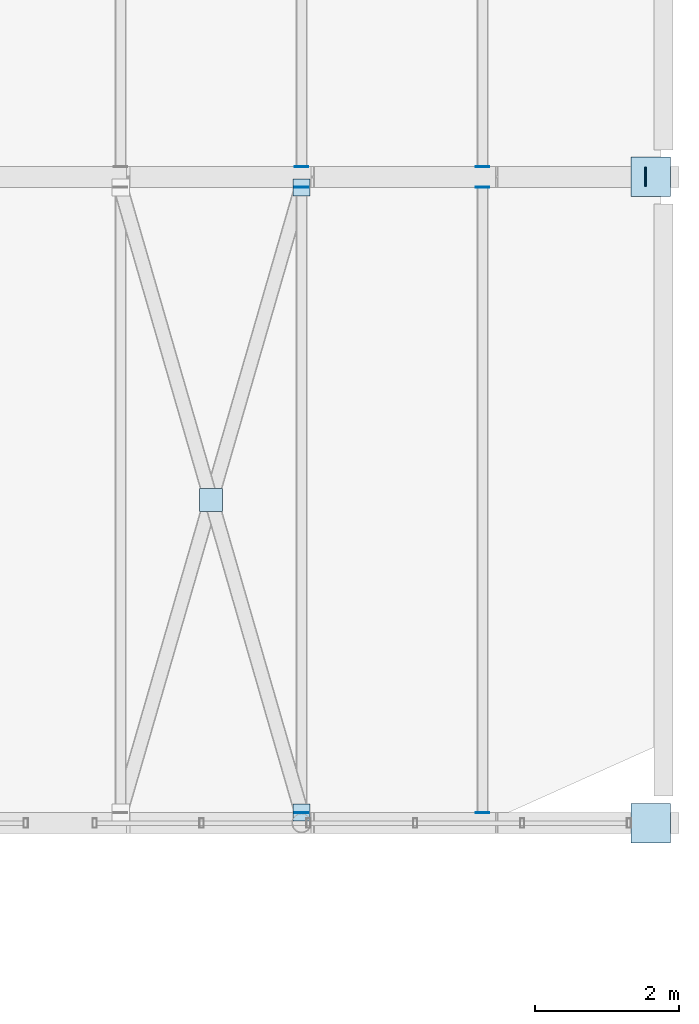
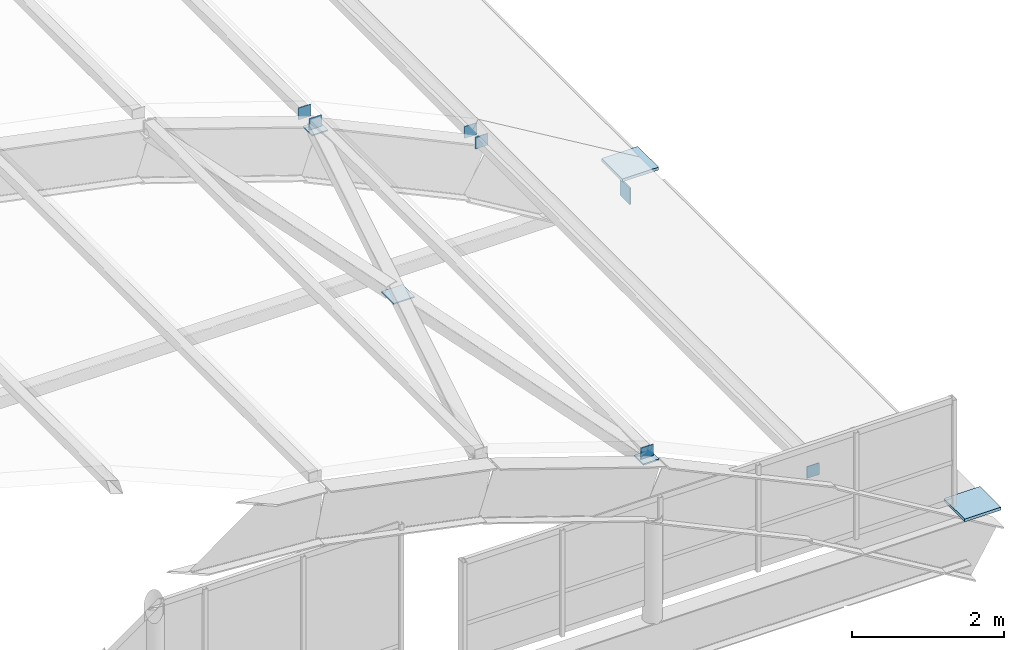
# One storey, part 87 of 107: 12 plates.
"""IFC4 building model written with IfcOpenShell, lengths in metres."""

from ifc_helpers import new_model, si_unit, direction, frame, origin, origin_2d, place, context, subcontext, project, spatial, rectangle, extrude, material, layer, layer_set, type_object, element, save


model = new_model("IFC4")

# Units and contexts
model_context = context("Model", 3, precision=1e-05, world=origin(), true_north=direction((0.0, 1.0)))
body_context = subcontext(model_context, "Body", "Model", "MODEL_VIEW")
ifc_project = project(units=[si_unit("LENGTHUNIT", "METRE"), si_unit("AREAUNIT", "SQUARE_METRE"), si_unit("VOLUMEUNIT", "CUBIC_METRE"), si_unit("PLANEANGLEUNIT", "RADIAN"), si_unit("MASSUNIT", "GRAM", prefix="KILO")], contexts=[model_context])

# Site, building, storey
site_placement = place(None, origin())
site = spatial("IfcSite", under=ifc_project, at=site_placement, CompositionType="ELEMENT")
building_placement = place(site_placement, origin())
building = spatial("IfcBuilding", under=site, at=building_placement, Name="Vireocrest Preparatory School", CompositionType="ELEMENT")
storey_placement = place(building_placement, frame((0.0, 0.0, 13.199951171875)))
storey = spatial("IfcBuildingStorey", under=building, at=storey_placement, Name="L03", CompositionType="ELEMENT", Elevation=13.199951171875)

# Plates
ifc_material = material(Name="Structural steel ASTM A572 Grade 50", Category="steel")
ifc_layer_1 = layer(ifc_material, 0.013916015625)
ifc_layer_set_1 = layer_set([ifc_layer_1], Name="Structural steel ASTM A572 Grade 50")
plate_type_1 = type_object("IfcPlateType", Name="Assembly Vault Purlin Steel End Cap Plate 14", PredefinedType="SHEET", material=ifc_layer_set_1)
for number, where, z_axis, x_axis, name in (
    (1, (162.9599609375, 18.14111328125, 2.26171875), (0.0, 0.0, 1.0), (1.0, 0.0, 0.0), "Purlin End Cap CP3 VAULT_ASSEMBLY B1-S-9"),
    (2, (162.9599609375, 26.85888671875, 2.26171875), (0.0, 0.0, 1.0), (1.0, 0.0, 0.0), "Purlin End Cap CP3 VAULT_ASSEMBLY B1-N-9"),
    (3, (165.47998046875, 18.14111328125, 1.0810546875), (0.0, 0.0, 1.0), (1.0, 0.0, 0.0), "Purlin End Cap CP3 VAULT_ASSEMBLY B1-S-10"),
    (4, (165.47998046875, 26.85888671875, 1.0810546875), (0.0, 0.0, 1.0), (1.0, 0.0, 0.0), "Purlin End Cap CP3 VAULT_ASSEMBLY B1-N-10"),
    (5, (162.9599609375, 27.14111328125, 2.26171875), (0.0, 0.0, 1.0), (1.0, 0.0, 0.0), "Purlin End Cap CP3 VAULT_ASSEMBLY B2-S-9"),
    (6, (165.47998046875, 27.14111328125, 1.0810546875), (0.0, 0.0, 1.0), (1.0, 0.0, 0.0), "Purlin End Cap CP3 VAULT_ASSEMBLY B2-S-10"),
):
    element("IfcPlate", number, at=place(storey_placement, frame(where, z_axis=z_axis, x_axis=x_axis)), inside=storey, type_object=plate_type_1, Name=name, PredefinedType="SHEET", context=body_context, shape_type="SweptSolid", body=[
        extrude(rectangle(XDim=0.18798828125, YDim=0.013916015625, at=origin_2d()), origin(), (0.0, 0.0, 1.0), 0.18798828125),
    ])
ifc_layer_2 = layer(ifc_material, 0.0458984375)
ifc_layer_set_2 = layer_set([ifc_layer_2], Name="Structural steel ASTM A572 Grade 50")
plate_type_2 = type_object("IfcPlateType", Name="Barrel-Vault Springing Gusset Shoe Plate 46", PredefinedType="SHEET", material=ifc_layer_set_2)
for number, where, z_axis, x_axis, name in (
    (7, (167.820068359375, 18.0, -0.122802734375), (0.0, 0.0, 1.0), (1.0, 0.0, 0.0), "Node AS1 Vault Springing Shoe VAULT_ASSEMBLY-1E"),
    (8, (167.820068359375, 27.0, -0.122802734375), (0.0, 0.0, 1.0), (1.0, 0.0, 0.0), "Node AS1 Vault Springing Shoe VAULT_ASSEMBLY-2E"),
):
    element("IfcPlate", number, at=place(storey_placement, frame(where, z_axis=z_axis, x_axis=x_axis)), inside=storey, type_object=plate_type_2, Name=name, PredefinedType="SHEET", context=body_context, shape_type="SweptSolid", body=[
        extrude(rectangle(XDim=0.550048828125, YDim=0.550048828125, at=origin_2d()), origin(), (0.0, 0.0, 1.0), 0.0458984375),
    ])
ifc_layer_3 = layer(ifc_material, 0.02001953125)
ifc_layer_set_3 = layer_set([ifc_layer_3], Name="Structural steel ASTM A572 Grade 50")
plate_type_3 = type_object("IfcPlateType", Name="Hollow Section Steel End Cap Plate 20", PredefinedType="SHEET", material=ifc_layer_set_3)
plate_1_placement = place(storey_placement, frame((167.75, 27.0, -0.6455078125), z_axis=(0.0, 0.0, 1.0), x_axis=(1.0, 0.0, 0.0)))
element("IfcPlate", 9, at=plate_1_placement, inside=storey, type_object=plate_type_3, Name="End Cap Plate CP1 VAULT_ASSEMBLY Tie 2E", PredefinedType="SHEET", context=body_context, shape_type="SweptSolid", body=[
    extrude(rectangle(XDim=0.02001953125, YDim=0.262939453125, at=origin_2d()), origin(), (0.0, 0.0, 1.0), 0.262939453125),
])
plate_2_placement = place(storey_placement, frame((162.9599609375, 26.85400390625, 2.2509765625), z_axis=(0.0, 0.0, 1.0), x_axis=(1.0, 0.0, 0.0)))
element("IfcPlate", 10, at=plate_2_placement, inside=storey, type_object=plate_type_3, Name="Brace Cap Plate CP1 VAULT_ASSEMBLY-1-8B", PredefinedType="SHEET", context=body_context, shape_type="SweptSolid", body=[
    extrude(rectangle(XDim=0.239990234375, YDim=0.239990234375, at=origin_2d()), origin(), (0.0, 0.0, 1.0), 0.02001953125),
])
plate_3_placement = place(storey_placement, frame((161.699951171875, 22.5, 2.6689453125), z_axis=(0.0, 0.0, 1.0), x_axis=(1.0, 0.0, 0.0)))
element("IfcPlate", 11, at=plate_3_placement, inside=storey, type_object=plate_type_3, Name="X-Brace Crossing Gusset CP1 VAULT_ASSEMBLY-1-8", PredefinedType="SHEET", context=body_context, shape_type="SweptSolid", body=[
    extrude(rectangle(XDim=0.320068359375, YDim=0.320068359375, at=origin_2d()), origin(), (0.0, 0.0, 1.0), 0.02001953125),
])
plate_4_placement = place(storey_placement, frame((162.9599609375, 18.14599609375, 2.2509765625), z_axis=(0.0, 0.0, 1.0), x_axis=(1.0, 0.0, 0.0)))
element("IfcPlate", 12, at=plate_4_placement, inside=storey, type_object=plate_type_3, Name="Brace Cap Plate CP1 VAULT_ASSEMBLY-1-8D", PredefinedType="SHEET", context=body_context, shape_type="SweptSolid", body=[
    extrude(rectangle(XDim=0.239990234375, YDim=0.239990234375, at=origin_2d()), origin(), (0.0, 0.0, 1.0), 0.02001953125),
])

save(model, "model.ifc")
